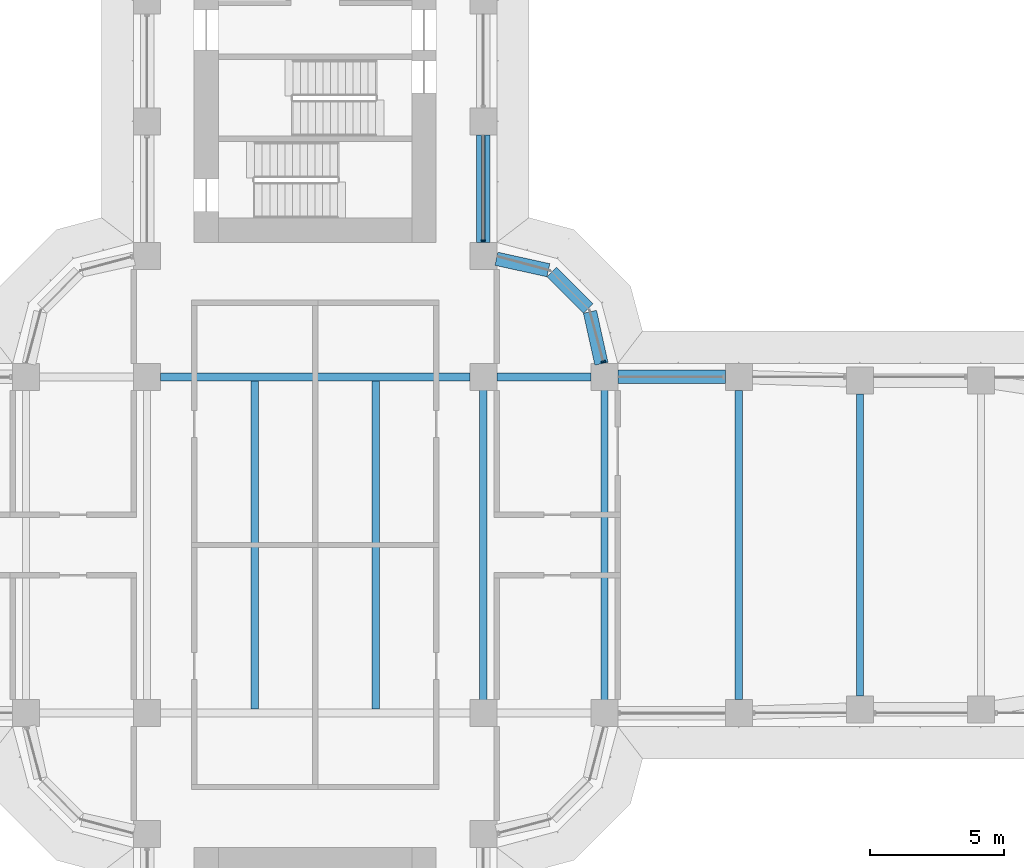
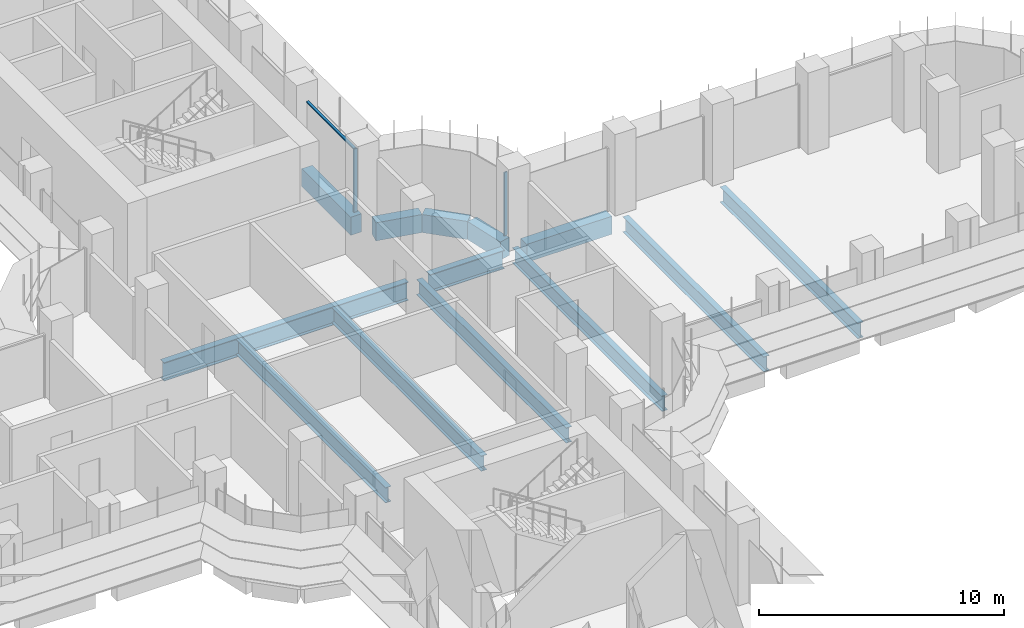
# One storey, part 8 of 23: 13 beams, 3 members, 2 elements without a shape of their own.
"""IFC4 building model written with IfcOpenShell, lengths in metres."""

import ifcopenshell
import ifcopenshell.guid

model = None  # the IFC model being written
_history = None  # IfcOwnerHistory: only IFC2X3 demands one
_inside = {}  # id of a spatial element -> (the spatial element, [elements in it])
_under = {}  # id of a project, library or spatial element -> (it, [spatial elements below it])
_declared = {}  # id of a project -> (the project, [libraries it declares])
_typed = {}  # id of a type object -> (the type object, [elements of that type])
_made_of = {}  # id of a material, layer set ... -> (it, [elements and type objects made of it])


def new_model(schema):
    """Start an empty IFC model of exactly this schema.

    Asked for "IFC4X3", IfcOpenShell would pick the latest addendum, in which some entities
    have other attributes; the version numbers below select the first issue.
    IFC2X3 requires an IfcOwnerHistory on every rooted entity: one is made here for all.
    """
    global model, _history
    if schema == "IFC4X3":
        model = ifcopenshell.file(schema_version=(4, 3, 0, 0))
    else:
        model = ifcopenshell.file(schema=schema)
    _inside.clear()
    _under.clear()
    _declared.clear()
    _typed.clear()
    _made_of.clear()
    _history = None
    if model.schema == "IFC2X3":
        org = make("IfcOrganization", Name="unknown")
        user = make(
            "IfcPersonAndOrganization",
            ThePerson=make("IfcPerson", FamilyName="unknown"),
            TheOrganization=org,
        )
        app = make(
            "IfcApplication",
            ApplicationDeveloper=org,
            Version="unknown",
            ApplicationFullName="unknown",
            ApplicationIdentifier="unknown",
        )
        _history = make(
            "IfcOwnerHistory",
            OwningUser=user,
            OwningApplication=app,
            ChangeAction="ADDED",
            CreationDate=0,
        )
    return model


def make(cls, **values):
    """One entity of the class cls with the attributes given. An attribute that is None is left unset."""
    return model.create_entity(
        cls, **{name: value for name, value in values.items() if value is not None}
    )


def rooted(cls, **values):
    """An entity with a GlobalId (a new one), such as an element, a storey or a relation."""
    return make(cls, GlobalId=ifcopenshell.guid.new(), OwnerHistory=_history, **values)


def si_unit(unit_type, name, prefix=None):
    """IfcSIUnit, for example si_unit("LENGTHUNIT", "METRE", prefix="MILLI")."""
    return make("IfcSIUnit", UnitType=unit_type, Prefix=prefix, Name=name)


def assignment(units):
    """IfcUnitAssignment: the units of a project."""
    return None if units is None else make("IfcUnitAssignment", Units=units)


def point(xyz):
    """IfcCartesianPoint."""
    return None if xyz is None else make("IfcCartesianPoint", Coordinates=xyz)


def direction(xyz):
    """IfcDirection."""
    return None if xyz is None else make("IfcDirection", DirectionRatios=xyz)


def frame(location, z_axis=None, x_axis=None):
    """IfcAxis2Placement3D, a coordinate frame: its origin and axes. An axis left out is left unset."""
    return make(
        "IfcAxis2Placement3D",
        Location=point(location),
        Axis=direction(z_axis),
        RefDirection=direction(x_axis),
    )


def frame_2d(location, x_axis=None):
    """IfcAxis2Placement2D, a coordinate frame in the plane: its origin and x axis."""
    return make(
        "IfcAxis2Placement2D", Location=point(location), RefDirection=direction(x_axis)
    )


def origin():
    """The frame at (0, 0, 0) with its axes left unset."""
    return frame((0.0, 0.0, 0.0))


def origin_2d():
    """The frame at (0, 0) in the plane with its x axis left unset."""
    return frame_2d((0.0, 0.0))


def place(relative_to, where):
    """IfcLocalPlacement: puts the frame where relative to a parent placement (None: the world)."""
    return make(
        "IfcLocalPlacement", PlacementRelTo=relative_to, RelativePlacement=where
    )


def context(
    kind, dimensions, precision=None, world=None, true_north=None, identifier=None
):
    """IfcGeometricRepresentationContext, for example the 3D "Model" context."""
    return make(
        "IfcGeometricRepresentationContext",
        ContextIdentifier=identifier,
        ContextType=kind,
        CoordinateSpaceDimension=dimensions,
        Precision=precision,
        WorldCoordinateSystem=world,
        TrueNorth=true_north,
    )


def subcontext(parent, identifier, kind, view, scale=None):
    """IfcGeometricRepresentationSubContext, for example "Body" below "Model"."""
    return make(
        "IfcGeometricRepresentationSubContext",
        ContextIdentifier=identifier,
        ContextType=kind,
        ParentContext=parent,
        TargetScale=scale,
        TargetView=view,
    )


def project(units=None, contexts=None):
    """IfcProject with its units and contexts."""
    return rooted(
        "IfcProject",
        Name="project",
        RepresentationContexts=contexts,
        UnitsInContext=assignment(units),
    )


def spatial(cls, under=None, at=None, **own):
    """A site, building, storey or space (cls), placed at a placement, below another one or the project."""
    s = rooted(cls, ObjectPlacement=at, **own)
    if under is not None:
        _under.setdefault(under.id(), (under, []))[1].append(s)
    return s


def polyline(points):
    """IfcPolyline through the points."""
    return make("IfcPolyline", Points=[point(p) for p in points])


def profile(cls, at=None, kind="AREA", **sizes):
    """A parametric profile (cls). Its sizes go by their IFC names, for example OverallWidth=200.0."""
    return make(cls, ProfileType=kind, Position=at, **sizes)


def rectangle(**sizes):
    """IfcRectangleProfileDef."""
    return profile("IfcRectangleProfileDef", **sizes)


def i_section(**sizes):
    """IfcIShapeProfileDef."""
    return profile("IfcIShapeProfileDef", **sizes)


def outline(outer, holes=None, kind="AREA"):
    """IfcArbitraryClosedProfileDef: a profile drawn as a closed curve; with holes, ...WithVoids."""
    if holes is None:
        return make("IfcArbitraryClosedProfileDef", ProfileType=kind, OuterCurve=outer)
    return make(
        "IfcArbitraryProfileDefWithVoids",
        ProfileType=kind,
        OuterCurve=outer,
        InnerCurves=holes,
    )


def extrude(swept, where, along, depth):
    """IfcExtrudedAreaSolid: the profile swept, set in the frame where, extruded along a direction by depth."""
    return make(
        "IfcExtrudedAreaSolid",
        SweptArea=swept,
        Position=where,
        ExtrudedDirection=direction(along),
        Depth=depth,
    )


def shape(context_of_items, identifier, shape_type, items):
    """IfcShapeRepresentation: the items that make up one representation, for example the "Body"."""
    return make(
        "IfcShapeRepresentation",
        ContextOfItems=context_of_items,
        RepresentationIdentifier=identifier,
        RepresentationType=shape_type,
        Items=items,
    )


def source(mapping_origin, context_of_items, identifier, shape_type, items):
    """IfcRepresentationMap: a shape defined once, which mapped items show again and again."""
    return make(
        "IfcRepresentationMap",
        MappingOrigin=mapping_origin,
        MappedRepresentation=shape(context_of_items, identifier, shape_type, items),
    )


def transform(
    local_origin,
    x_axis=None,
    y_axis=None,
    z_axis=None,
    scale=None,
    scale2=None,
    scale3=None,
    uniform=True,
):
    """IfcCartesianTransformationOperator3D, or its non-uniform kind. x_axis, y_axis, z_axis: its Axis1, 2, 3."""
    if uniform:
        return make(
            "IfcCartesianTransformationOperator3D",
            Axis1=direction(x_axis),
            Axis2=direction(y_axis),
            LocalOrigin=point(local_origin),
            Scale=scale,
            Axis3=direction(z_axis),
        )
    return make(
        "IfcCartesianTransformationOperator3DnonUniform",
        Axis1=direction(x_axis),
        Axis2=direction(y_axis),
        LocalOrigin=point(local_origin),
        Scale=scale,
        Axis3=direction(z_axis),
        Scale2=scale2,
        Scale3=scale3,
    )


def mapped(mapping_source, mapping_target):
    """IfcMappedItem: shows the shape of a source again, moved by a transform."""
    return make(
        "IfcMappedItem", MappingSource=mapping_source, MappingTarget=mapping_target
    )


def material(Name=None, Category=None):
    """IfcMaterial."""
    return make("IfcMaterial", Name=Name, Category=Category)


def material_profile(
    of_material, cross_section, Name=None, Category=None, Priority=None
):
    """IfcMaterialProfile: a cross section and its material."""
    return make(
        "IfcMaterialProfile",
        Name=Name,
        Material=of_material,
        Profile=cross_section,
        Priority=Priority,
        Category=Category,
    )


def profile_set(profiles, Name=None, composite=None):
    """IfcMaterialProfileSet."""
    return make(
        "IfcMaterialProfileSet",
        Name=Name,
        MaterialProfiles=profiles,
        CompositeProfile=composite,
    )


def made_of(thing, what):
    """Note that an element or type object is made of a material, layer set ...; save() writes the relation."""
    if what is not None:
        _made_of.setdefault(what.id(), (what, []))[1].append(thing)
    return thing


def type_object(cls, material=None, **own):
    """A type object (cls), such as IfcWallType, which elements share."""
    return made_of(rooted(cls, **own), material)


def element(
    cls,
    number,
    at=None,
    inside=None,
    cuts=None,
    type_object=None,
    material=None,
    context=None,
    identifier="Body",
    shape_type=None,
    held_by="IfcProductDefinitionShape",
    body=None,
    shapes=None,
    **own,
):
    """One element of the class cls, such as IfcWall. Its Tag is "e" and its number.

    at: its placement. inside: the storey or other place that contains it. cuts: it is an
    opening in that element (IfcRelVoidsElement). A single representation is given by context,
    identifier, shape_type and body (its items); several are given by shapes. held_by: the class
    of the entity that holds the representations. save() writes the other relations.
    """
    e = rooted(cls, Tag="e%d" % number, ObjectPlacement=at, **own)
    if body is not None:
        shapes = [shape(context, identifier, shape_type, body)]
    if shapes is not None:
        e.Representation = make(held_by, Representations=shapes)
    if inside is not None:
        _inside.setdefault(inside.id(), (inside, []))[1].append(e)
    if cuts is not None:
        rooted(
            "IfcRelVoidsElement", RelatingBuildingElement=cuts, RelatedOpeningElement=e
        )
    if type_object is not None:
        _typed.setdefault(type_object.id(), (type_object, []))[1].append(e)
    return made_of(e, material)


def aggregate(whole, parts):
    """IfcRelAggregates: a whole, such as a stair, and the parts it consists of."""
    return rooted("IfcRelAggregates", RelatingObject=whole, RelatedObjects=parts)


def save(model, path):
    """Write the relations noted so far, then the file.

    IfcRelAggregates (storeys below a building ...), IfcRelContainedInSpatialStructure (elements
    in a storey), IfcRelDefinesByType, IfcRelAssociatesMaterial and IfcRelDeclares: one each for
    every whole, place, type object, material and project.
    """
    for whole, parts in _under.values():
        aggregate(whole, parts)
    for where, things in _inside.values():
        rooted(
            "IfcRelContainedInSpatialStructure",
            RelatedElements=things,
            RelatingStructure=where,
        )
    for kind, things in _typed.values():
        rooted("IfcRelDefinesByType", RelatedObjects=things, RelatingType=kind)
    for what, things in _made_of.values():
        rooted("IfcRelAssociatesMaterial", RelatedObjects=things, RelatingMaterial=what)
    for by, libraries in _declared.values():
        rooted("IfcRelDeclares", RelatingContext=by, RelatedDefinitions=libraries)
    model.write(path)


model = new_model("IFC4")

# Units and contexts
model_context = context("Model", 3, precision=1e-05, world=origin(), true_north=direction((0.0, 1.0)))
body_context = subcontext(model_context, "Body", "Model", "MODEL_VIEW")
ifc_project = project(units=[si_unit("LENGTHUNIT", "METRE"), si_unit("AREAUNIT", "SQUARE_METRE"), si_unit("VOLUMEUNIT", "CUBIC_METRE"), si_unit("PLANEANGLEUNIT", "RADIAN"), si_unit("MASSUNIT", "GRAM", prefix="KILO")], contexts=[model_context])

# Site, building, storey
site_placement = place(None, origin())
site = spatial("IfcSite", under=ifc_project, at=site_placement, CompositionType="ELEMENT")
building_placement = place(site_placement, origin())
building = spatial("IfcBuilding", under=site, at=building_placement, Name="Zarbagh Exchange Tower", CompositionType="ELEMENT")
storey_placement = place(building_placement, frame((0.0, 0.0, 64.800048828125)))
storey = spatial("IfcBuildingStorey", under=building, at=storey_placement, Name="L14", CompositionType="ELEMENT", Elevation=64.800048828125)

# Beams
ifc_material_1 = material(Name="Steel ASTM A992 Gr 50", Category="steel")
ifc_material_profile_1 = material_profile(ifc_material_1, i_section(OverallWidth=0.2666015625, OverallDepth=0.76708984375, WebThickness=0.014892578125, FlangeThickness=0.023681640625, at=origin_2d()), Name="W30X124")
ifc_profile_set_1 = profile_set([ifc_material_profile_1], Name="Steel ASTM A992 Gr 50")
beam_type_1 = type_object("IfcBeamType", Name="Floor beam W30X124", PredefinedType="BEAM", material=ifc_profile_set_1)
for number, where, z_axis, x_axis, name in (
    (1, (-2.25, -6.09765625, -0.533447265625), (0.0, 1.0, 0.0), (-1.0, 0.0, 0.0), "Steel floor beam"),
    (2, (2.25, -6.09765625, -0.533447265625), (0.0, 1.0, 0.0), (-1.0, 0.0, 0.0), "Steel floor beam"),
    (3, (6.25, -6.09765625, -0.533447265625), (0.0, 1.0, 0.0), (-1.0, 0.0, 0.0), "Steel floor beam"),
    (4, (10.75, -6.09765625, -0.533447265625), (0.0, 1.0, 0.0), (-1.0, 0.0, 0.0), "Steel floor beam"),
):
    element("IfcBeam", number, at=place(storey_placement, frame(where, z_axis=z_axis, x_axis=x_axis)), inside=storey, type_object=beam_type_1, Name=name, PredefinedType="BEAM", context=body_context, shape_type="SweptSolid", body=[
        extrude(i_section(OverallWidth=0.2666015625, OverallDepth=0.76708984375, WebThickness=0.014892578125, FlangeThickness=0.023681640625, at=origin_2d()), origin(), (0.0, 0.0, 1.0), 12.1953125),
    ])
beam_1_placement = place(storey_placement, frame((15.75, -5.75, -0.533447265625), z_axis=(0.0, 1.0, 0.0), x_axis=(-1.0, 0.0, 0.0)))
element("IfcBeam", 5, at=beam_1_placement, inside=storey, type_object=beam_type_1, Name="Steel floor beam", PredefinedType="BEAM", context=body_context, shape_type="SweptSolid", body=[
    extrude(i_section(OverallWidth=0.2666015625, OverallDepth=0.76708984375, WebThickness=0.014892578125, FlangeThickness=0.023681640625, at=origin_2d()), origin(), (0.0, 0.0, 1.0), 11.5),
])
beam_2_placement = place(storey_placement, frame((20.25, -5.610107421875, -0.533447265625), z_axis=(0.0, 1.0, 0.0), x_axis=(-1.0, 0.0, 0.0)))
element("IfcBeam", 6, at=beam_2_placement, inside=storey, type_object=beam_type_1, Name="Steel floor beam", PredefinedType="BEAM", context=body_context, shape_type="SweptSolid", body=[
    extrude(i_section(OverallWidth=0.2666015625, OverallDepth=0.76708984375, WebThickness=0.014892578125, FlangeThickness=0.023681640625, at=origin_2d()), origin(), (0.0, 0.0, 1.0), 11.22021484375),
])
ifc_material_profile_2 = material_profile(ifc_material_1, i_section(OverallWidth=0.3046875, OverallDepth=0.91943359375, WebThickness=0.017333984375, FlangeThickness=0.02783203125, at=origin_2d()), Name="W36X170")
ifc_profile_set_2 = profile_set([ifc_material_profile_2], Name="Steel ASTM A992 Gr 50")
beam_type_2 = type_object("IfcBeamType", Name="Floor girder W36X170", PredefinedType="BEAM", material=ifc_profile_set_2)
beam_3_placement = place(storey_placement, frame((-5.75, 6.25, -0.60986328125), z_axis=(1.0, 0.0, 0.0), x_axis=(0.0, 1.0, 0.0)))
element("IfcBeam", 7, at=beam_3_placement, inside=storey, type_object=beam_type_2, Name="Steel girder", PredefinedType="BEAM", context=body_context, shape_type="SweptSolid", body=[
    extrude(i_section(OverallWidth=0.3046875, OverallDepth=0.91943359375, WebThickness=0.017333984375, FlangeThickness=0.02783203125, at=origin_2d()), origin(), (0.0, 0.0, 1.0), 11.5),
])
beam_4_placement = place(storey_placement, frame((6.75, 6.25, -0.60986328125), z_axis=(1.0, 0.0, 0.0), x_axis=(0.0, 1.0, 0.0)))
element("IfcBeam", 8, at=beam_4_placement, inside=storey, type_object=beam_type_2, Name="Steel girder", PredefinedType="BEAM", context=body_context, shape_type="SweptSolid", body=[
    extrude(i_section(OverallWidth=0.3046875, OverallDepth=0.91943359375, WebThickness=0.017333984375, FlangeThickness=0.02783203125, at=origin_2d()), origin(), (0.0, 0.0, 1.0), 3.5),
])
ifc_material_2 = material(Name="Concrete C60/75", Category="concrete")
ifc_material_profile_3 = material_profile(ifc_material_2, rectangle(XDim=0.5, YDim=0.89990234375, at=origin_2d()), Name="RC spandrel beam 500 x 900 C60/75")
ifc_profile_set_3 = profile_set([ifc_material_profile_3], Name="Concrete C60/75")
beam_type_3 = type_object("IfcBeamType", Name="RC spandrel beam 500 x 900 C60/75", PredefinedType="SPANDREL", material=ifc_profile_set_3)
beam_5_placement = place(storey_placement, frame((6.25, 15.25, -0.60009765625), z_axis=(0.0, -1.0, 0.0), x_axis=(1.0, 0.0, 0.0)))
element("IfcBeam", 9, at=beam_5_placement, inside=storey, type_object=beam_type_3, Name="RC spandrel beam", PredefinedType="SPANDREL", context=body_context, shape_type="SweptSolid", body=[
    extrude(rectangle(XDim=0.5, YDim=0.89990234375, at=origin_2d()), origin(), (0.0, 0.0, 1.0), 4.0),
])
beam_6_placement = place(storey_placement, frame((6.73828125, 10.64208984375, -0.60009765625), z_axis=(0.976375426825, -0.216081063242, 0.0), x_axis=(0.216081063242, 0.976375426825, 0.0)))
element("IfcBeam", 10, at=beam_6_placement, inside=storey, type_object=beam_type_3, Name="RC spandrel beam", PredefinedType="SPANDREL", context=body_context, shape_type="SweptSolid", body=[
    extrude(rectangle(XDim=0.5, YDim=0.89990234375, at=origin_2d()), origin(), (0.0, 0.0, 1.0), 1.978271484375),
])
beam_7_placement = place(storey_placement, frame((8.792724609375, 10.147216796875, -0.60009765625), z_axis=(0.707106781187, -0.707106781187, 0.0), x_axis=(0.707106781187, 0.707106781187, 0.0)))
element("IfcBeam", 11, at=beam_7_placement, inside=storey, type_object=beam_type_3, Name="RC spandrel beam", PredefinedType="SPANDREL", context=body_context, shape_type="SweptSolid", body=[
    extrude(rectangle(XDim=0.5, YDim=0.89990234375, at=origin_2d()), origin(), (0.0, 0.0, 1.0), 1.91552734375),
])
beam_8_placement = place(storey_placement, frame((10.214599609375, 8.669921875, -0.60009765625), z_axis=(0.216081063242, -0.976375426825, 0.0), x_axis=(0.976375426825, 0.216081063242, 0.0)))
element("IfcBeam", 12, at=beam_8_placement, inside=storey, type_object=beam_type_3, Name="RC spandrel beam", PredefinedType="SPANDREL", context=body_context, shape_type="SweptSolid", body=[
    extrude(rectangle(XDim=0.5, YDim=0.89990234375, at=origin_2d()), origin(), (0.0, 0.0, 1.0), 1.978271484375),
])
beam_9_placement = place(storey_placement, frame((11.25, 6.25, -0.60009765625), z_axis=(1.0, 0.0, 0.0), x_axis=(0.0, 1.0, 0.0)))
element("IfcBeam", 13, at=beam_9_placement, inside=storey, type_object=beam_type_3, Name="RC spandrel beam", PredefinedType="SPANDREL", context=body_context, shape_type="SweptSolid", body=[
    extrude(rectangle(XDim=0.5, YDim=0.89990234375, at=origin_2d()), origin(), (0.0, 0.0, 1.0), 4.0),
])

# Curtain wall, member
ifc_material_3 = material(Name="Anodised aluminium frame and glazing", Category="aluminium")
curtain_wall_type = type_object("IfcCurtainWallType", Name="CWA Ribbon glazing, lower zones", PredefinedType="NOTDEFINED", material=ifc_material_3)
curtain_wall_1_placement = place(storey_placement, origin())
curtain_wall_1 = element("IfcCurtainWall", 14, at=curtain_wall_1_placement, inside=storey, type_object=curtain_wall_type, Name="CWA17 curtain wall", PredefinedType="NOTDEFINED")
ifc_material_4 = material(Name="Anodised aluminium frame", Category="aluminium")
member_type_1 = type_object("IfcMemberType", Name="MUA Mullion, anodised aluminium frame", PredefinedType="MULLION", material=ifc_material_4)
shared_shape_1 = source(origin(), body_context, "Body", "SweptSolid", [
    extrude(outline(polyline([(0.0, -0.080078125), (0.06005859375, -0.080078125), (0.06005859375, 0.080078125), (0.0, 0.080078125), (0.0, -0.080078125)])), origin(), (0.0, 0.0, 1.0), 3.14990234375),
])
placement = place(storey_placement, origin())
member_1 = element("IfcMember", 15, at=placement, type_object=member_type_1, Name="CWA17 mullion 1.1", PredefinedType="MULLION", context=body_context, shape_type="MappedRepresentation", body=[
    mapped(shared_shape_1, transform((10.7216796875, 6.7900390625, 0.0), x_axis=(-0.258824779902, 0.965924289636, 0.0), y_axis=(-0.965924289636, -0.258824779902, 0.0), z_axis=(0.0, 0.0, 1.0))),
])
aggregate(curtain_wall_1, [member_1])

# Curtain wall, members
curtain_wall_2_placement = place(storey_placement, origin())
curtain_wall_2 = element("IfcCurtainWall", 16, at=curtain_wall_2_placement, inside=storey, type_object=curtain_wall_type, Name="CWA20 curtain wall", PredefinedType="NOTDEFINED")
member_2 = element("IfcMember", 17, at=placement, type_object=member_type_1, Name="CWA20 mullion 1.1", PredefinedType="MULLION", context=body_context, shape_type="MappedRepresentation", body=[
    mapped(shared_shape_1, transform((6.25, 11.2900390625, 0.0), x_axis=(0.0, 1.0, 0.0), y_axis=(-1.0, 0.0, 0.0), z_axis=(0.0, 0.0, 1.0))),
])
member_type_2 = type_object("IfcMemberType", Name="TRA Transom, anodised aluminium frame", PredefinedType="USERDEFINED", material=ifc_material_4)
shared_shape_2 = source(origin(), body_context, "Body", "SweptSolid", [
    extrude(outline(polyline([(-0.06005859375, -0.06005859375), (0.0, -0.06005859375), (0.0, 0.06005859375), (-0.06005859375, 0.06005859375), (-0.06005859375, -0.06005859375)])), origin(), (0.0, 0.0, 1.0), 3.860107421875),
])
member_3 = element("IfcMember", 18, at=placement, type_object=member_type_2, Name="CWA20 transom 1.1", ObjectType="TRANSOM", PredefinedType="USERDEFINED", context=body_context, shape_type="MappedRepresentation", body=[
    mapped(shared_shape_2, transform((6.25, 11.35009765625, 3.14990234375), x_axis=(0.0, 0.0, 1.0), y_axis=(1.0, 0.0, 0.0), z_axis=(0.0, 1.0, 0.0))),
])
aggregate(curtain_wall_2, [member_2, member_3])

save(model, "model.ifc")
